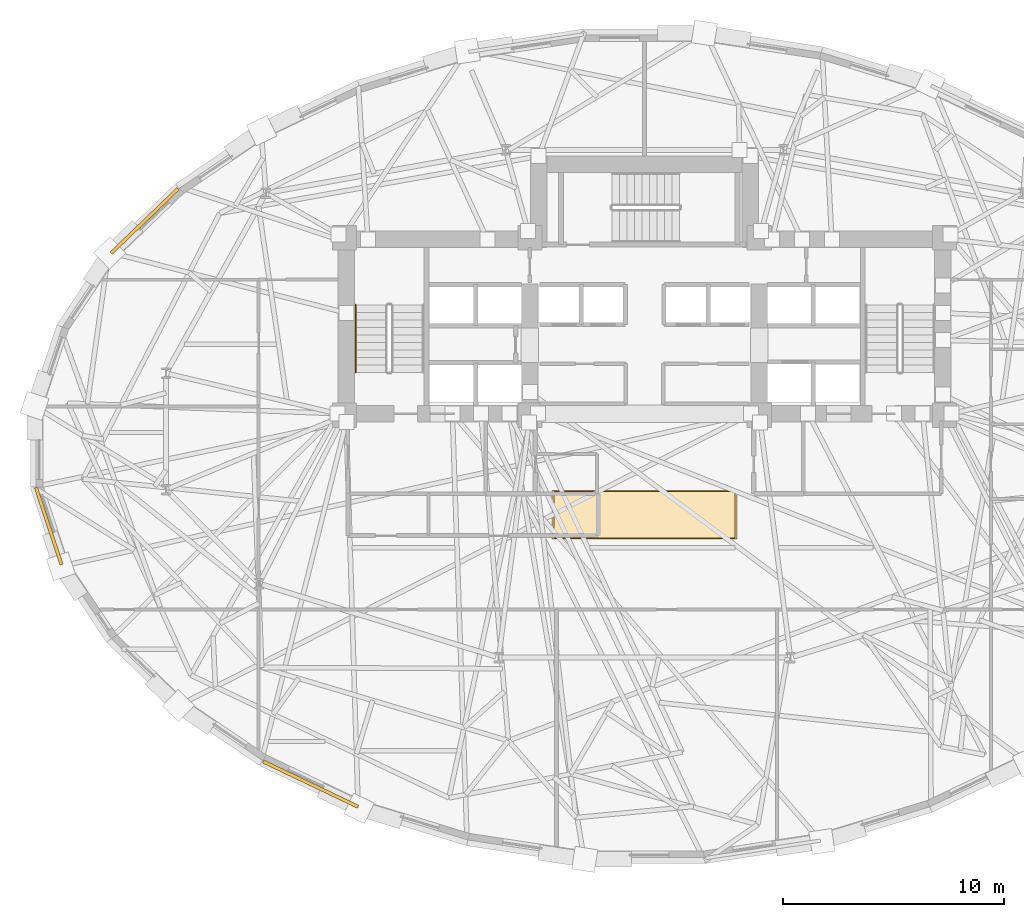
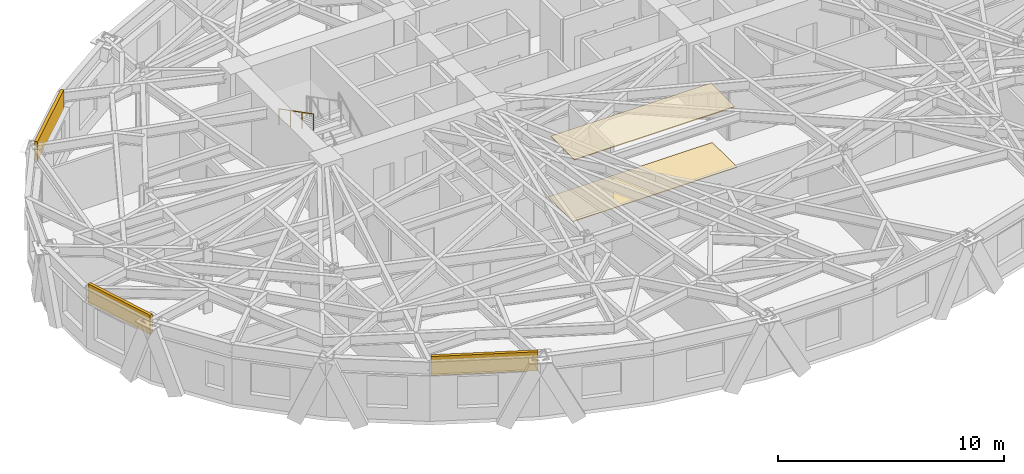
# One storey, part 11 of 14: 5 coverings, 1 railing.
"""IFC4 building model written with IfcOpenShell, lengths in metres."""

from ifc_helpers import new_model, si_unit, direction, frame, origin, origin_2d, place, context, subcontext, project, spatial, rectangle, circle, extrude, material, layer, layer_set, type_object, element, save


model = new_model("IFC4")

# Units and contexts
model_context = context("Model", 3, precision=1e-05, world=origin(), true_north=direction((0.0, 1.0)))
body_context = subcontext(model_context, "Body", "Model", "MODEL_VIEW")
ifc_project = project(units=[si_unit("LENGTHUNIT", "METRE"), si_unit("AREAUNIT", "SQUARE_METRE"), si_unit("VOLUMEUNIT", "CUBIC_METRE"), si_unit("PLANEANGLEUNIT", "RADIAN"), si_unit("MASSUNIT", "GRAM", prefix="KILO")], contexts=[model_context])

# Site, building, storey
site_placement = place(None, origin())
site = spatial("IfcSite", under=ifc_project, at=site_placement, CompositionType="ELEMENT")
building_placement = place(site_placement, origin())
building = spatial("IfcBuilding", under=site, at=building_placement, Name="Keldmark Tower", CompositionType="ELEMENT")
storey_placement = place(building_placement, frame((0.0, 0.0, 100.10009765625)))
storey = spatial("IfcBuildingStorey", under=building, at=storey_placement, Name="L26", CompositionType="ELEMENT", Elevation=100.10009765625)

# Coverings
ifc_material_1 = material(Name="FSC-Certified Quarter-Sawn White Oak", Category="wood")
ifc_layer_1 = layer(ifc_material_1, 0.02197265625)
ifc_layer_set_1 = layer_set([ifc_layer_1], Name="FSC-Certified Quarter-Sawn White Oak")
covering_type_1 = type_object("IfcCoveringType", Name="Engineered White Oak Residence Flooring 22 mm", PredefinedType="FLOORING", material=ifc_layer_set_1)
covering_1_placement = place(storey_placement, frame((0.0, -3.10009765625, 0.0), z_axis=(0.0, 0.0, 1.0), x_axis=(1.0, 0.0, 0.0)))
element("IfcCovering", 1, at=covering_1_placement, inside=storey, type_object=covering_type_1, Name="L26 Lift Lobby Finish Flooring", PredefinedType="FLOORING", context=body_context, shape_type="SweptSolid", body=[
    extrude(rectangle(XDim=8.39990234375, YDim=2.199951171875, at=origin_2d()), origin(), (0.0, 0.0, 1.0), 0.030029296875),
])
ifc_material_2 = material(Name="Honed Kasota Buff Dolomitic Limestone", Category="masonry")
ifc_layer_2 = layer(ifc_material_2, 0.074951171875)
ifc_layer_set_2 = layer_set([ifc_layer_2], Name="Honed Kasota Buff Dolomitic Limestone")
covering_type_2 = type_object("IfcCoveringType", Name="Kasota Buff Limestone Spandrel Cladding Band", PredefinedType="CLADDING", material=ifc_layer_set_2)
covering_2_placement = place(storey_placement, frame((-22.6650390625, 10.21630859375, 2.45166015625), z_axis=(0.0, 0.0, 1.0), x_axis=(-0.720587417127, -0.693364099357, 0.0)))
element("IfcCovering", 2, at=covering_2_placement, inside=storey, type_object=covering_type_2, Name="L26 Kasota Limestone Spandrel Band 13", PredefinedType="CLADDING", context=body_context, shape_type="SweptSolid", body=[
    extrude(rectangle(XDim=4.186767578125, YDim=0.14990234375, at=origin_2d()), origin(), (0.0, 0.0, 1.0), 1.028076171875),
])
covering_3_placement = place(storey_placement, frame((-27.0146484375, -3.617919921875, 2.45166015625), z_axis=(0.0, 0.0, 1.0), x_axis=(0.314290711278, -0.949326787152, 0.0)))
element("IfcCovering", 3, at=covering_3_placement, inside=storey, type_object=covering_type_2, Name="L26 Kasota Limestone Spandrel Band 17", PredefinedType="CLADDING", context=body_context, shape_type="SweptSolid", body=[
    extrude(rectangle(XDim=3.67578125, YDim=0.14990234375, at=origin_2d()), origin(), (0.0, 0.0, 1.0), 1.028076171875),
])
covering_4_placement = place(storey_placement, frame((-15.139892578125, -15.31689453125, 2.45166015625), z_axis=(0.0, 0.0, 1.0), x_axis=(0.902367267498, -0.430967881109, 0.0)))
element("IfcCovering", 4, at=covering_4_placement, inside=storey, type_object=covering_type_2, Name="L26 Kasota Limestone Spandrel Band 21", PredefinedType="CLADDING", context=body_context, shape_type="SweptSolid", body=[
    extrude(rectangle(XDim=4.76171875, YDim=0.14990234375, at=origin_2d()), origin(), (0.0, 0.0, 1.0), 1.028076171875),
])

# Railing
ifc_material_3 = material(Name="Stainless Steel AISI 316L", Category="steel")
railing_type = type_object("IfcRailingType", Name="Stainless Steel Stair Handrail 900 mm", PredefinedType="HANDRAIL", material=ifc_material_3)
railing_placement = place(storey_placement, frame((-13.10009765625, 6.409912109375, 1.9248046875)))
element("IfcRailing", 5, at=railing_placement, inside=storey, type_object=railing_type, Name="L26 ST1 stair handrail 2", PredefinedType="HANDRAIL", context=body_context, shape_type="SweptSolid", body=[
    extrude(circle(Radius=0.02392578125, at=origin_2d()), frame((0.0, 0.0, 0.8759765625), z_axis=(0.0, -0.889101422983, 0.457710235465), x_axis=(1.0, 0.0, 0.0)), (0.0, 0.0, 1.0), 3.44140625),
    extrude(circle(Radius=0.02099609375, at=origin_2d()), origin(), (0.0, 0.0, 1.0), 0.851806640625),
    extrude(circle(Radius=0.02099609375, at=origin_2d()), frame((0.0, -1.02001953125, 0.525146484375)), (0.0, 0.0, 1.0), 0.851806640625),
    extrude(circle(Radius=0.02099609375, at=origin_2d()), frame((0.0, -2.039794921875, 1.050048828125)), (0.0, 0.0, 1.0), 0.851806640625),
    extrude(circle(Radius=0.02099609375, at=origin_2d()), frame((0.0, -3.059814453125, 1.5751953125)), (0.0, 0.0, 1.0), 0.851806640625),
])

# Covering
ifc_material_4 = material(Name="Perforated Acoustic Gypsum and Recycled Mineral Wool", Category="gypsum")
ifc_layer_3 = layer(ifc_material_4, 0.044921875)
ifc_layer_set_3 = layer_set([ifc_layer_3], Name="Perforated Acoustic Gypsum and Recycled Mineral Wool")
covering_type_3 = type_object("IfcCoveringType", Name="Suspended Acoustic Mineral-Fiber Ceiling 45 mm", PredefinedType="CEILING", material=ifc_layer_set_3)
covering_5_placement = place(storey_placement, frame((0.0, -3.10009765625, 3.264892578125), z_axis=(0.0, 0.0, 1.0), x_axis=(1.0, 0.0, 0.0)))
element("IfcCovering", 6, at=covering_5_placement, inside=storey, type_object=covering_type_3, Name="L26 Lift Lobby Acoustic Ceiling", PredefinedType="CEILING", context=body_context, shape_type="SweptSolid", body=[
    extrude(rectangle(XDim=8.199951171875, YDim=2.10009765625, at=origin_2d()), origin(), (0.0, 0.0, 1.0), 0.044921875),
])

save(model, "model.ifc")
